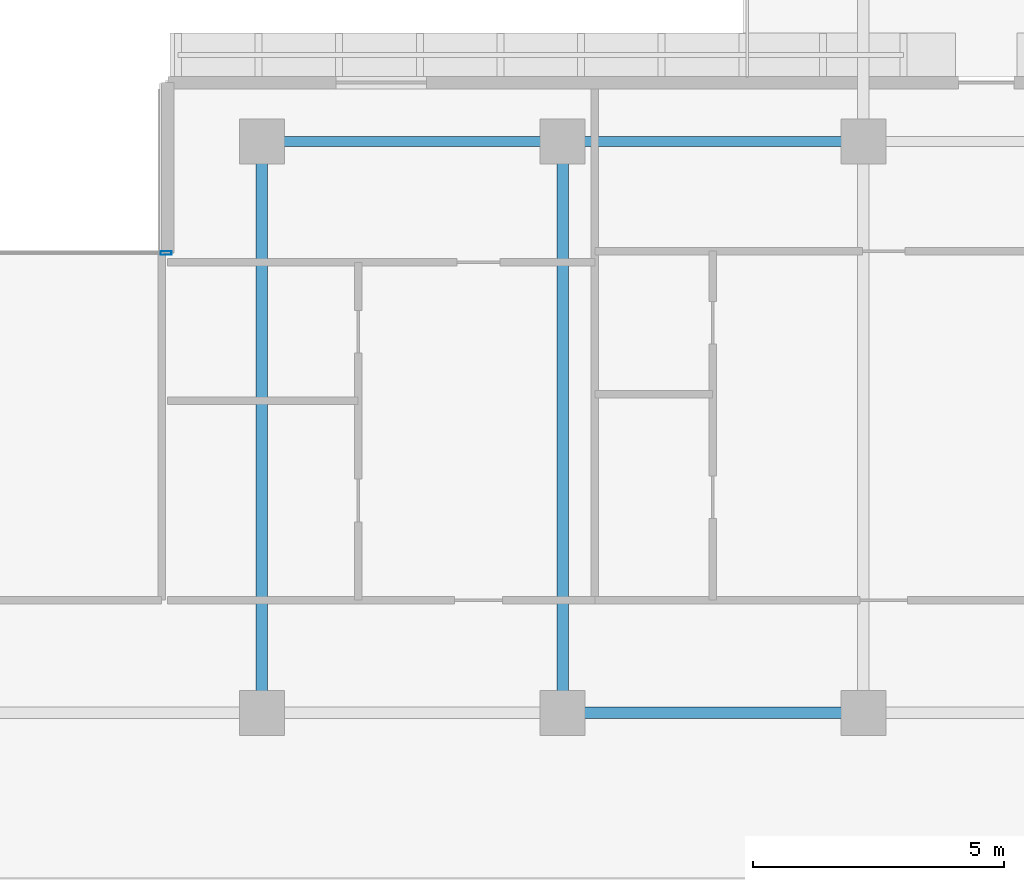
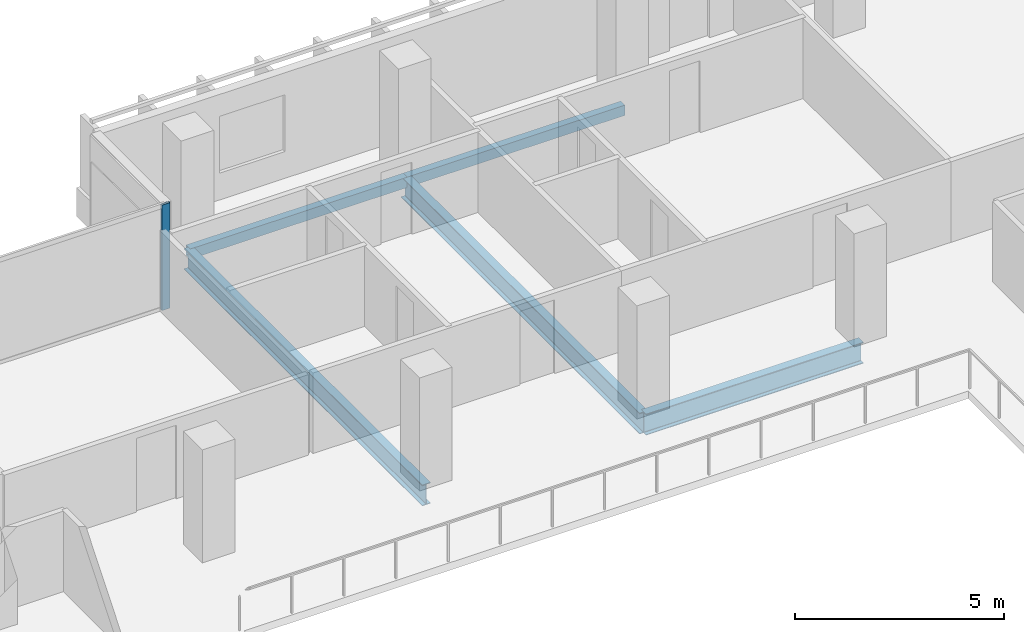
# One storey, part 7 of 21: 5 beams, 1 member, 1 element without a shape of its own.
"""IFC4 building model written with IfcOpenShell, lengths in metres."""

from ifc_helpers import new_model, si_unit, direction, frame, origin, origin_2d, place, context, subcontext, project, spatial, hollow_rectangle, i_section, extrude, material, layer, layer_set, material_profile, profile_set, type_object, element, aggregate, save


model = new_model("IFC4")

# Units and contexts
model_context = context("Model", 3, precision=1e-05, world=origin(), true_north=direction((0.0, 1.0)))
body_context = subcontext(model_context, "Body", "Model", "MODEL_VIEW")
ifc_project = project(units=[si_unit("LENGTHUNIT", "METRE"), si_unit("AREAUNIT", "SQUARE_METRE"), si_unit("VOLUMEUNIT", "CUBIC_METRE"), si_unit("PLANEANGLEUNIT", "RADIAN"), si_unit("MASSUNIT", "GRAM", prefix="KILO")], contexts=[model_context])

# Site, building, storey
site_placement = place(None, origin())
site = spatial("IfcSite", under=ifc_project, at=site_placement, CompositionType="ELEMENT")
building_placement = place(site_placement, origin())
building = spatial("IfcBuilding", under=site, at=building_placement, Name="Tanjung Sevakor Pilgrim Tower", CompositionType="ELEMENT")
storey_placement = place(building_placement, frame((0.0, 0.0, 145.199951171875)))
storey = spatial("IfcBuildingStorey", under=building, at=storey_placement, Name="L40", CompositionType="ELEMENT", Elevation=145.199951171875)

# Beams
ifc_material_1 = material(Name="Steel S355J2", Category="steel")
ifc_material_profile_1 = material_profile(ifc_material_1, i_section(OverallWidth=0.230224609375, OverallDepth=0.6171875, WebThickness=0.01318359375, FlangeThickness=0.022216796875, FilletRadius=0.0126953125, at=origin_2d()))
ifc_profile_set_1 = profile_set([ifc_material_profile_1], Name="Steel S355J2")
beam_type_1 = type_object("IfcBeamType", Name="BM-B-G3-UB_610x229x140", PredefinedType="BEAM", material=ifc_profile_set_1)
beam_placement = place(storey_placement, frame((60.0, 42.60009765625, -0.528564453125), z_axis=(1.0, 0.0, 0.0), x_axis=(0.0, 1.0, 0.0)))
element("IfcBeam", 1, at=beam_placement, inside=storey, type_object=beam_type_1, Name="L40 Primary Floor Girder MAIN Y426-05", PredefinedType="BEAM", context=body_context, shape_type="SweptSolid", body=[
    extrude(i_section(OverallWidth=0.230224609375, OverallDepth=0.6171875, WebThickness=0.01318359375, FlangeThickness=0.022216796875, FilletRadius=0.0126953125, at=origin_2d()), origin(), (0.0, 0.0, 1.0), 6.0),
])
ifc_material_2 = material(Name="Steel S355J2", Category="steel")
ifc_material_profile_2 = material_profile(ifc_material_2, i_section(OverallWidth=0.22900390625, OverallDepth=0.6123046875, WebThickness=0.011962890625, FlangeThickness=0.01953125, FilletRadius=0.0126953125, at=origin_2d()))
ifc_profile_set_2 = profile_set([ifc_material_profile_2], Name="Steel S355J2")
beam_type_2 = type_object("IfcBeamType", Name="BM-B-G4-UB_610x229x125", PredefinedType="BEAM", material=ifc_profile_set_2)
for number, where, z_axis, x_axis, name in (
    (2, (54.0, 42.60009765625, -0.526123046875), (0.0, 1.0, 0.0), (-1.0, 0.0, 0.0), "L40 MAIN Girder 007"),
    (3, (60.0, 42.60009765625, -0.526123046875), (0.0, 1.0, 0.0), (-1.0, 0.0, 0.0), "L40 MAIN Girder 009"),
):
    element("IfcBeam", number, at=place(storey_placement, frame(where, z_axis=z_axis, x_axis=x_axis)), inside=storey, type_object=beam_type_2, Name=name, PredefinedType="BEAM", context=body_context, shape_type="SweptSolid", body=[
        extrude(i_section(OverallWidth=0.22900390625, OverallDepth=0.6123046875, WebThickness=0.011962890625, FlangeThickness=0.01953125, FilletRadius=0.0126953125, at=origin_2d()), origin(), (0.0, 0.0, 1.0), 11.39990234375),
    ])
ifc_material_3 = material(Name="Steel S355J2", Category="steel")
ifc_material_profile_3 = material_profile(ifc_material_3, hollow_rectangle(XDim=0.199951171875, YDim=0.300048828125, WallThickness=0.012451171875, at=origin_2d()))
ifc_profile_set_3 = profile_set([ifc_material_profile_3], Name="Steel S355J2")
beam_type_3 = type_object("IfcBeamType", Name="BM-B-SP3-RHS_300x200x12.5", PredefinedType="SPANDREL", material=ifc_profile_set_3)
for number, where, z_axis, x_axis, name in (
    (4, (54.0, 54.0, -0.369873046875), (1.0, 0.0, 0.0), (0.0, 1.0, 0.0), "L40 Spandrel MAIN N-08"),
    (5, (60.0, 54.0, -0.369873046875), (1.0, 0.0, 0.0), (0.0, 1.0, 0.0), "L40 Spandrel MAIN N-10"),
):
    element("IfcBeam", number, at=place(storey_placement, frame(where, z_axis=z_axis, x_axis=x_axis)), inside=storey, type_object=beam_type_3, Name=name, PredefinedType="SPANDREL", context=body_context, shape_type="SweptSolid", body=[
        extrude(hollow_rectangle(XDim=0.199951171875, YDim=0.300048828125, WallThickness=0.012451171875, at=origin_2d()), origin(), (0.0, 0.0, 1.0), 6.0),
    ])

# Curtain wall, member
ifc_material_4 = material(Name="Aluminium 6063-T6 and Low-E Glass", Category="aluminium")
ifc_layer = layer(ifc_material_4, 0.179931640625)
ifc_layer_set = layer_set([ifc_layer], Name="CW-SYS-CLEFT")
curtain_wall_type = type_object("IfcCurtainWallType", Name="CW-SYS-CLEFT", PredefinedType="NOTDEFINED", material=ifc_layer_set)
curtain_wall_placement = place(storey_placement, origin())
curtain_wall = element("IfcCurtainWall", 6, at=curtain_wall_placement, inside=storey, type_object=curtain_wall_type, Name="L40 Curtain Wall CW-CLF-L40-10", PredefinedType="NOTDEFINED")
ifc_material_5 = material(Name="Aluminium 6063-T6", Category="aluminium")
ifc_material_profile_4 = material_profile(ifc_material_5, hollow_rectangle(XDim=0.074951171875, YDim=0.219970703125, WallThickness=0.0048828125, at=origin_2d()))
ifc_profile_set_4 = profile_set([ifc_material_profile_4], Name="Aluminium 6063-T6")
member_type = type_object("IfcMemberType", Name="TYPE-CWM-2", PredefinedType="MULLION", material=ifc_profile_set_4)
member_placement = place(storey_placement, frame((52.08740234375, 51.77490234375, 0.0), z_axis=(0.0, 0.0, 1.0), x_axis=(0.0, -1.0, 0.0)))
member = element("IfcMember", 7, at=member_placement, type_object=member_type, Name="CW-CLF mullion 1", PredefinedType="MULLION", context=body_context, shape_type="SweptSolid", body=[
    extrude(hollow_rectangle(XDim=0.074951171875, YDim=0.219970703125, WallThickness=0.0048828125, at=origin_2d()), origin(), (0.0, 0.0, 1.0), 3.080078125),
])
aggregate(curtain_wall, [member])

save(model, "model.ifc")
